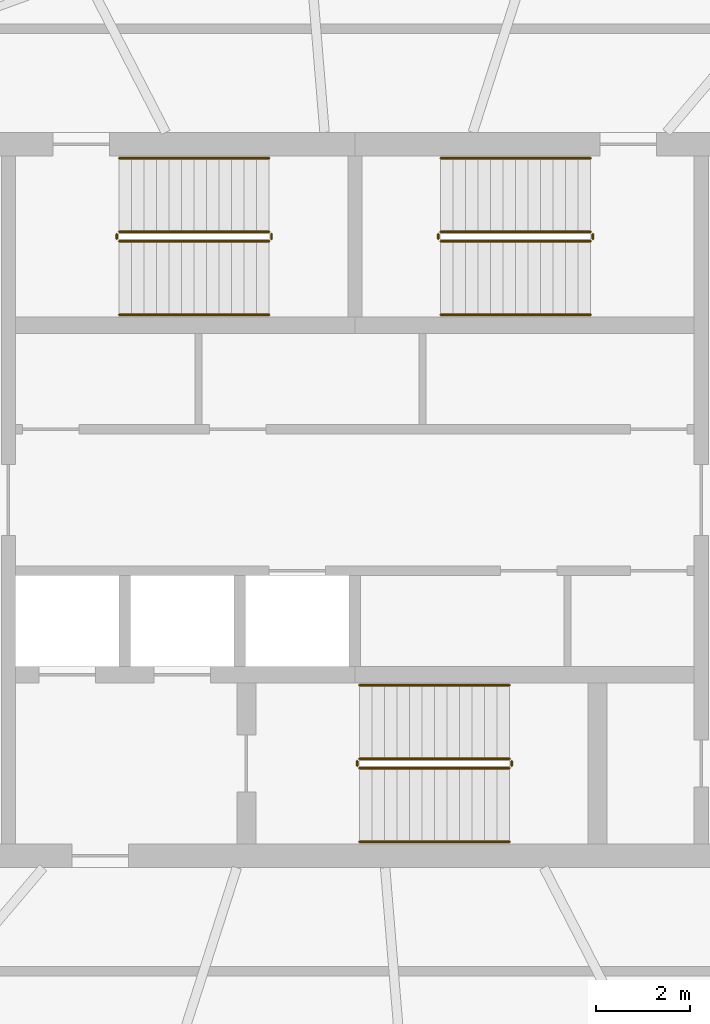
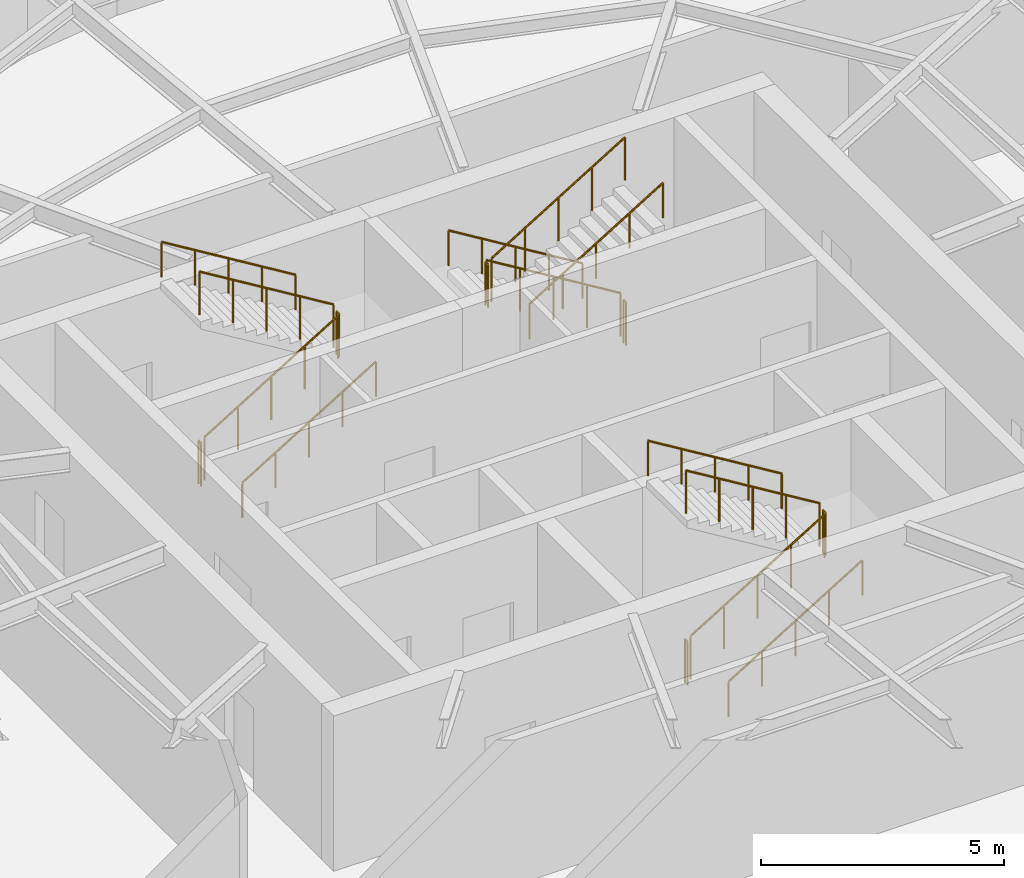
# One storey, part 6 of 6: 18 railings.
"""IFC4 building model written with IfcOpenShell, lengths in metres."""

import ifcopenshell
import ifcopenshell.guid

model = None  # the IFC model being written
_history = None  # IfcOwnerHistory: only IFC2X3 demands one
_inside = {}  # id of a spatial element -> (the spatial element, [elements in it])
_under = {}  # id of a project, library or spatial element -> (it, [spatial elements below it])
_declared = {}  # id of a project -> (the project, [libraries it declares])
_typed = {}  # id of a type object -> (the type object, [elements of that type])
_made_of = {}  # id of a material, layer set ... -> (it, [elements and type objects made of it])


def new_model(schema):
    """Start an empty IFC model of exactly this schema.

    Asked for "IFC4X3", IfcOpenShell would pick the latest addendum, in which some entities
    have other attributes; the version numbers below select the first issue.
    IFC2X3 requires an IfcOwnerHistory on every rooted entity: one is made here for all.
    """
    global model, _history
    if schema == "IFC4X3":
        model = ifcopenshell.file(schema_version=(4, 3, 0, 0))
    else:
        model = ifcopenshell.file(schema=schema)
    _inside.clear()
    _under.clear()
    _declared.clear()
    _typed.clear()
    _made_of.clear()
    _history = None
    if model.schema == "IFC2X3":
        org = make("IfcOrganization", Name="unknown")
        user = make(
            "IfcPersonAndOrganization",
            ThePerson=make("IfcPerson", FamilyName="unknown"),
            TheOrganization=org,
        )
        app = make(
            "IfcApplication",
            ApplicationDeveloper=org,
            Version="unknown",
            ApplicationFullName="unknown",
            ApplicationIdentifier="unknown",
        )
        _history = make(
            "IfcOwnerHistory",
            OwningUser=user,
            OwningApplication=app,
            ChangeAction="ADDED",
            CreationDate=0,
        )
    return model


def make(cls, **values):
    """One entity of the class cls with the attributes given. An attribute that is None is left unset."""
    return model.create_entity(
        cls, **{name: value for name, value in values.items() if value is not None}
    )


def rooted(cls, **values):
    """An entity with a GlobalId (a new one), such as an element, a storey or a relation."""
    return make(cls, GlobalId=ifcopenshell.guid.new(), OwnerHistory=_history, **values)


def si_unit(unit_type, name, prefix=None):
    """IfcSIUnit, for example si_unit("LENGTHUNIT", "METRE", prefix="MILLI")."""
    return make("IfcSIUnit", UnitType=unit_type, Prefix=prefix, Name=name)


def assignment(units):
    """IfcUnitAssignment: the units of a project."""
    return None if units is None else make("IfcUnitAssignment", Units=units)


def point(xyz):
    """IfcCartesianPoint."""
    return None if xyz is None else make("IfcCartesianPoint", Coordinates=xyz)


def direction(xyz):
    """IfcDirection."""
    return None if xyz is None else make("IfcDirection", DirectionRatios=xyz)


def frame(location, z_axis=None, x_axis=None):
    """IfcAxis2Placement3D, a coordinate frame: its origin and axes. An axis left out is left unset."""
    return make(
        "IfcAxis2Placement3D",
        Location=point(location),
        Axis=direction(z_axis),
        RefDirection=direction(x_axis),
    )


def frame_2d(location, x_axis=None):
    """IfcAxis2Placement2D, a coordinate frame in the plane: its origin and x axis."""
    return make(
        "IfcAxis2Placement2D", Location=point(location), RefDirection=direction(x_axis)
    )


def origin():
    """The frame at (0, 0, 0) with its axes left unset."""
    return frame((0.0, 0.0, 0.0))


def origin_2d():
    """The frame at (0, 0) in the plane with its x axis left unset."""
    return frame_2d((0.0, 0.0))


def place(relative_to, where):
    """IfcLocalPlacement: puts the frame where relative to a parent placement (None: the world)."""
    return make(
        "IfcLocalPlacement", PlacementRelTo=relative_to, RelativePlacement=where
    )


def context(
    kind, dimensions, precision=None, world=None, true_north=None, identifier=None
):
    """IfcGeometricRepresentationContext, for example the 3D "Model" context."""
    return make(
        "IfcGeometricRepresentationContext",
        ContextIdentifier=identifier,
        ContextType=kind,
        CoordinateSpaceDimension=dimensions,
        Precision=precision,
        WorldCoordinateSystem=world,
        TrueNorth=true_north,
    )


def subcontext(parent, identifier, kind, view, scale=None):
    """IfcGeometricRepresentationSubContext, for example "Body" below "Model"."""
    return make(
        "IfcGeometricRepresentationSubContext",
        ContextIdentifier=identifier,
        ContextType=kind,
        ParentContext=parent,
        TargetScale=scale,
        TargetView=view,
    )


def project(units=None, contexts=None):
    """IfcProject with its units and contexts."""
    return rooted(
        "IfcProject",
        Name="project",
        RepresentationContexts=contexts,
        UnitsInContext=assignment(units),
    )


def spatial(cls, under=None, at=None, **own):
    """A site, building, storey or space (cls), placed at a placement, below another one or the project."""
    s = rooted(cls, ObjectPlacement=at, **own)
    if under is not None:
        _under.setdefault(under.id(), (under, []))[1].append(s)
    return s


def profile(cls, at=None, kind="AREA", **sizes):
    """A parametric profile (cls). Its sizes go by their IFC names, for example OverallWidth=200.0."""
    return make(cls, ProfileType=kind, Position=at, **sizes)


def circle(**sizes):
    """IfcCircleProfileDef."""
    return profile("IfcCircleProfileDef", **sizes)


def extrude(swept, where, along, depth):
    """IfcExtrudedAreaSolid: the profile swept, set in the frame where, extruded along a direction by depth."""
    return make(
        "IfcExtrudedAreaSolid",
        SweptArea=swept,
        Position=where,
        ExtrudedDirection=direction(along),
        Depth=depth,
    )


def shape(context_of_items, identifier, shape_type, items):
    """IfcShapeRepresentation: the items that make up one representation, for example the "Body"."""
    return make(
        "IfcShapeRepresentation",
        ContextOfItems=context_of_items,
        RepresentationIdentifier=identifier,
        RepresentationType=shape_type,
        Items=items,
    )


def material(Name=None, Category=None):
    """IfcMaterial."""
    return make("IfcMaterial", Name=Name, Category=Category)


def made_of(thing, what):
    """Note that an element or type object is made of a material, layer set ...; save() writes the relation."""
    if what is not None:
        _made_of.setdefault(what.id(), (what, []))[1].append(thing)
    return thing


def type_object(cls, material=None, **own):
    """A type object (cls), such as IfcWallType, which elements share."""
    return made_of(rooted(cls, **own), material)


def element(
    cls,
    number,
    at=None,
    inside=None,
    cuts=None,
    type_object=None,
    material=None,
    context=None,
    identifier="Body",
    shape_type=None,
    held_by="IfcProductDefinitionShape",
    body=None,
    shapes=None,
    **own,
):
    """One element of the class cls, such as IfcWall. Its Tag is "e" and its number.

    at: its placement. inside: the storey or other place that contains it. cuts: it is an
    opening in that element (IfcRelVoidsElement). A single representation is given by context,
    identifier, shape_type and body (its items); several are given by shapes. held_by: the class
    of the entity that holds the representations. save() writes the other relations.
    """
    e = rooted(cls, Tag="e%d" % number, ObjectPlacement=at, **own)
    if body is not None:
        shapes = [shape(context, identifier, shape_type, body)]
    if shapes is not None:
        e.Representation = make(held_by, Representations=shapes)
    if inside is not None:
        _inside.setdefault(inside.id(), (inside, []))[1].append(e)
    if cuts is not None:
        rooted(
            "IfcRelVoidsElement", RelatingBuildingElement=cuts, RelatedOpeningElement=e
        )
    if type_object is not None:
        _typed.setdefault(type_object.id(), (type_object, []))[1].append(e)
    return made_of(e, material)


def aggregate(whole, parts):
    """IfcRelAggregates: a whole, such as a stair, and the parts it consists of."""
    return rooted("IfcRelAggregates", RelatingObject=whole, RelatedObjects=parts)


def save(model, path):
    """Write the relations noted so far, then the file.

    IfcRelAggregates (storeys below a building ...), IfcRelContainedInSpatialStructure (elements
    in a storey), IfcRelDefinesByType, IfcRelAssociatesMaterial and IfcRelDeclares: one each for
    every whole, place, type object, material and project.
    """
    for whole, parts in _under.values():
        aggregate(whole, parts)
    for where, things in _inside.values():
        rooted(
            "IfcRelContainedInSpatialStructure",
            RelatedElements=things,
            RelatingStructure=where,
        )
    for kind, things in _typed.values():
        rooted("IfcRelDefinesByType", RelatedObjects=things, RelatingType=kind)
    for what, things in _made_of.values():
        rooted("IfcRelAssociatesMaterial", RelatedObjects=things, RelatingMaterial=what)
    for by, libraries in _declared.values():
        rooted("IfcRelDeclares", RelatingContext=by, RelatedDefinitions=libraries)
    model.write(path)


model = new_model("IFC4")

# Units and contexts
model_context = context("Model", 3, precision=1e-05, world=origin(), true_north=direction((0.0, 1.0)))
body_context = subcontext(model_context, "Body", "Model", "MODEL_VIEW")
ifc_project = project(units=[si_unit("LENGTHUNIT", "METRE"), si_unit("AREAUNIT", "SQUARE_METRE"), si_unit("VOLUMEUNIT", "CUBIC_METRE"), si_unit("PLANEANGLEUNIT", "RADIAN"), si_unit("MASSUNIT", "GRAM", prefix="KILO")], contexts=[model_context])

# Site, building, storey
site_placement = place(None, origin())
site = spatial("IfcSite", under=ifc_project, at=site_placement, CompositionType="ELEMENT")
building_placement = place(site_placement, origin())
building = spatial("IfcBuilding", under=site, at=building_placement, Name="Vermilion Reach Broadcast Tower", CompositionType="ELEMENT")
storey_placement = place(building_placement, frame((0.0, 0.0, 308.699951171875)))
storey = spatial("IfcBuildingStorey", under=building, at=storey_placement, Name="L77 CROWN", CompositionType="ELEMENT", Elevation=308.699951171875)

# Railings
ifc_material_1 = material(Name="Stainless steel", Category="steel")
railing_type_1 = type_object("IfcRailingType", Name="Stair guard 1100", PredefinedType="GUARDRAIL", material=ifc_material_1)
railing_1_placement = place(storey_placement, frame((-11.0, 5.489990234375, 0.16162109375)))
element("IfcRailing", 1, at=railing_1_placement, inside=storey, type_object=railing_type_1, Name="L77 CROWN ST1 stair guard 1", PredefinedType="GUARDRAIL", context=body_context, shape_type="SweptSolid", body=[
    extrude(circle(Radius=0.02392578125, at=origin_2d()), frame((0.0, 0.0, 1.076171875), z_axis=(0.853856579767, 0.0, 0.520508348818), x_axis=(0.0, 1.0, 0.0)), (0.0, 0.0, 1.0), 3.72412109375),
    extrude(circle(Radius=0.02099609375, at=origin_2d()), origin(), (0.0, 0.0, 1.0), 1.052001953125),
    extrude(circle(Radius=0.02099609375, at=origin_2d()), frame((0.794921875, 0.0, 0.484619140625)), (0.0, 0.0, 1.0), 1.052001953125),
    extrude(circle(Radius=0.02099609375, at=origin_2d()), frame((1.58984375, 0.0, 0.96923828125)), (0.0, 0.0, 1.0), 1.052001953125),
    extrude(circle(Radius=0.02099609375, at=origin_2d()), frame((2.385009765625, 0.0, 1.453857421875)), (0.0, 0.0, 1.0), 1.052001953125),
    extrude(circle(Radius=0.02099609375, at=origin_2d()), frame((3.179931640625, 0.0, 1.9384765625)), (0.0, 0.0, 1.0), 1.052001953125),
])
railing_2_placement = place(storey_placement, frame((-7.77001953125, 5.5400390625, 2.10009765625)))
element("IfcRailing", 2, at=railing_2_placement, inside=storey, type_object=railing_type_1, Name="L77 CROWN ST1 stair guard 2", PredefinedType="GUARDRAIL", context=body_context, shape_type="SweptSolid", body=[
    extrude(circle(Radius=0.02392578125, at=origin_2d()), frame((0.0, 0.0, 1.076171875), z_axis=(0.0, 1.0, 0.0), x_axis=(-1.0, 0.0, 0.0)), (0.0, 0.0, 1.0), 0.099853515625),
    extrude(circle(Radius=0.02099609375, at=origin_2d()), origin(), (0.0, 0.0, 1.0), 1.052001953125),
    extrude(circle(Radius=0.02099609375, at=origin_2d()), frame((0.0, 0.099853515625, 0.0)), (0.0, 0.0, 1.0), 1.052001953125),
])
railing_3_placement = place(storey_placement, frame((-7.820068359375, 5.68994140625, 2.261474609375)))
element("IfcRailing", 3, at=railing_3_placement, inside=storey, type_object=railing_type_1, Name="L77 CROWN ST1 stair guard 3", PredefinedType="GUARDRAIL", context=body_context, shape_type="SweptSolid", body=[
    extrude(circle(Radius=0.02392578125, at=origin_2d()), frame((0.0, 0.0, 1.076171875), z_axis=(-0.853856579767, 0.0, 0.520508348818), x_axis=(0.0, -1.0, 0.0)), (0.0, 0.0, 1.0), 3.72412109375),
    extrude(circle(Radius=0.02099609375, at=origin_2d()), origin(), (0.0, 0.0, 1.0), 1.052001953125),
    extrude(circle(Radius=0.02099609375, at=origin_2d()), frame((-0.794921875, 0.0, 0.484619140625)), (0.0, 0.0, 1.0), 1.052001953125),
    extrude(circle(Radius=0.02099609375, at=origin_2d()), frame((-1.58984375, 0.0, 0.96923828125)), (0.0, 0.0, 1.0), 1.052001953125),
    extrude(circle(Radius=0.02099609375, at=origin_2d()), frame((-2.385009765625, 0.0, 1.453857421875)), (0.0, 0.0, 1.0), 1.052001953125),
    extrude(circle(Radius=0.02099609375, at=origin_2d()), frame((-3.179931640625, 0.0, 1.9384765625)), (0.0, 0.0, 1.0), 1.052001953125),
])
railing_4_placement = place(storey_placement, frame((-11.050048828125, 5.5400390625, 0.0)))
element("IfcRailing", 4, at=railing_4_placement, inside=storey, type_object=railing_type_1, Name="L77 CROWN ST1 stair guard 4", PredefinedType="GUARDRAIL", context=body_context, shape_type="SweptSolid", body=[
    extrude(circle(Radius=0.02392578125, at=origin_2d()), frame((0.0, 0.0, 1.076171875), z_axis=(0.0, 1.0, 0.0), x_axis=(-1.0, 0.0, 0.0)), (0.0, 0.0, 1.0), 0.099853515625),
    extrude(circle(Radius=0.02099609375, at=origin_2d()), origin(), (0.0, 0.0, 1.0), 1.052001953125),
    extrude(circle(Radius=0.02099609375, at=origin_2d()), frame((0.0, 0.099853515625, 0.0)), (0.0, 0.0, 1.0), 1.052001953125),
])
railing_5_placement = place(storey_placement, frame((-1.0, 5.68994140625, 0.16162109375)))
element("IfcRailing", 5, at=railing_5_placement, inside=storey, type_object=railing_type_1, Name="L77 CROWN ST2 stair guard 1", PredefinedType="GUARDRAIL", context=body_context, shape_type="SweptSolid", body=[
    extrude(circle(Radius=0.02392578125, at=origin_2d()), frame((0.0, 0.0, 1.076171875), z_axis=(-0.853856579767, 0.0, 0.520508348818), x_axis=(0.0, -1.0, 0.0)), (0.0, 0.0, 1.0), 3.72412109375),
    extrude(circle(Radius=0.02099609375, at=origin_2d()), origin(), (0.0, 0.0, 1.0), 1.052001953125),
    extrude(circle(Radius=0.02099609375, at=origin_2d()), frame((-0.794921875, 0.0, 0.484619140625)), (0.0, 0.0, 1.0), 1.052001953125),
    extrude(circle(Radius=0.02099609375, at=origin_2d()), frame((-1.58984375, 0.0, 0.96923828125)), (0.0, 0.0, 1.0), 1.052001953125),
    extrude(circle(Radius=0.02099609375, at=origin_2d()), frame((-2.385009765625, 0.0, 1.453857421875)), (0.0, 0.0, 1.0), 1.052001953125),
    extrude(circle(Radius=0.02099609375, at=origin_2d()), frame((-3.179931640625, 0.0, 1.9384765625)), (0.0, 0.0, 1.0), 1.052001953125),
])
railing_6_placement = place(storey_placement, frame((-4.22998046875, 5.639892578125, 2.10009765625)))
element("IfcRailing", 6, at=railing_6_placement, inside=storey, type_object=railing_type_1, Name="L77 CROWN ST2 stair guard 2", PredefinedType="GUARDRAIL", context=body_context, shape_type="SweptSolid", body=[
    extrude(circle(Radius=0.02392578125, at=origin_2d()), frame((0.0, 0.0, 1.076171875), z_axis=(0.0, -1.0, 0.0), x_axis=(1.0, 0.0, 0.0)), (0.0, 0.0, 1.0), 0.099853515625),
    extrude(circle(Radius=0.02099609375, at=origin_2d()), origin(), (0.0, 0.0, 1.0), 1.052001953125),
    extrude(circle(Radius=0.02099609375, at=origin_2d()), frame((0.0, -0.099853515625, 0.0)), (0.0, 0.0, 1.0), 1.052001953125),
])
railing_7_placement = place(storey_placement, frame((-4.179931640625, 5.489990234375, 2.261474609375)))
element("IfcRailing", 7, at=railing_7_placement, inside=storey, type_object=railing_type_1, Name="L77 CROWN ST2 stair guard 3", PredefinedType="GUARDRAIL", context=body_context, shape_type="SweptSolid", body=[
    extrude(circle(Radius=0.02392578125, at=origin_2d()), frame((0.0, 0.0, 1.076171875), z_axis=(0.853856579767, 0.0, 0.520508348818), x_axis=(0.0, 1.0, 0.0)), (0.0, 0.0, 1.0), 3.72412109375),
    extrude(circle(Radius=0.02099609375, at=origin_2d()), origin(), (0.0, 0.0, 1.0), 1.052001953125),
    extrude(circle(Radius=0.02099609375, at=origin_2d()), frame((0.794921875, 0.0, 0.484619140625)), (0.0, 0.0, 1.0), 1.052001953125),
    extrude(circle(Radius=0.02099609375, at=origin_2d()), frame((1.58984375, 0.0, 0.96923828125)), (0.0, 0.0, 1.0), 1.052001953125),
    extrude(circle(Radius=0.02099609375, at=origin_2d()), frame((2.385009765625, 0.0, 1.453857421875)), (0.0, 0.0, 1.0), 1.052001953125),
    extrude(circle(Radius=0.02099609375, at=origin_2d()), frame((3.179931640625, 0.0, 1.9384765625)), (0.0, 0.0, 1.0), 1.052001953125),
])
railing_8_placement = place(storey_placement, frame((-0.949951171875, 5.639892578125, 0.0)))
element("IfcRailing", 8, at=railing_8_placement, inside=storey, type_object=railing_type_1, Name="L77 CROWN ST2 stair guard 4", PredefinedType="GUARDRAIL", context=body_context, shape_type="SweptSolid", body=[
    extrude(circle(Radius=0.02392578125, at=origin_2d()), frame((0.0, 0.0, 1.076171875), z_axis=(0.0, -1.0, 0.0), x_axis=(1.0, 0.0, 0.0)), (0.0, 0.0, 1.0), 0.099853515625),
    extrude(circle(Radius=0.02099609375, at=origin_2d()), origin(), (0.0, 0.0, 1.0), 1.052001953125),
    extrude(circle(Radius=0.02099609375, at=origin_2d()), frame((0.0, -0.099853515625, 0.0)), (0.0, 0.0, 1.0), 1.052001953125),
])
railing_9_placement = place(storey_placement, frame((-5.89990234375, -5.68994140625, 0.16162109375)))
element("IfcRailing", 9, at=railing_9_placement, inside=storey, type_object=railing_type_1, Name="L77 CROWN ST3 stair guard 1", PredefinedType="GUARDRAIL", context=body_context, shape_type="SweptSolid", body=[
    extrude(circle(Radius=0.02392578125, at=origin_2d()), frame((0.0, 0.0, 1.076171875), z_axis=(0.853856579767, 0.0, 0.520508348818), x_axis=(0.0, 1.0, 0.0)), (0.0, 0.0, 1.0), 3.72412109375),
    extrude(circle(Radius=0.02099609375, at=origin_2d()), origin(), (0.0, 0.0, 1.0), 1.052001953125),
    extrude(circle(Radius=0.02099609375, at=origin_2d()), frame((0.794921875, 0.0, 0.484619140625)), (0.0, 0.0, 1.0), 1.052001953125),
    extrude(circle(Radius=0.02099609375, at=origin_2d()), frame((1.58984375, 0.0, 0.96923828125)), (0.0, 0.0, 1.0), 1.052001953125),
    extrude(circle(Radius=0.02099609375, at=origin_2d()), frame((2.385009765625, 0.0, 1.453857421875)), (0.0, 0.0, 1.0), 1.052001953125),
    extrude(circle(Radius=0.02099609375, at=origin_2d()), frame((3.179931640625, 0.0, 1.9384765625)), (0.0, 0.0, 1.0), 1.052001953125),
])
railing_10_placement = place(storey_placement, frame((-2.669921875, -5.639892578125, 2.10009765625)))
element("IfcRailing", 10, at=railing_10_placement, inside=storey, type_object=railing_type_1, Name="L77 CROWN ST3 stair guard 2", PredefinedType="GUARDRAIL", context=body_context, shape_type="SweptSolid", body=[
    extrude(circle(Radius=0.02392578125, at=origin_2d()), frame((0.0, 0.0, 1.076171875), z_axis=(0.0, 1.0, 0.0), x_axis=(-1.0, 0.0, 0.0)), (0.0, 0.0, 1.0), 0.099853515625),
    extrude(circle(Radius=0.02099609375, at=origin_2d()), origin(), (0.0, 0.0, 1.0), 1.052001953125),
    extrude(circle(Radius=0.02099609375, at=origin_2d()), frame((0.0, 0.099853515625, 0.0)), (0.0, 0.0, 1.0), 1.052001953125),
])
railing_11_placement = place(storey_placement, frame((-2.719970703125, -5.489990234375, 2.261474609375)))
element("IfcRailing", 11, at=railing_11_placement, inside=storey, type_object=railing_type_1, Name="L77 CROWN ST3 stair guard 3", PredefinedType="GUARDRAIL", context=body_context, shape_type="SweptSolid", body=[
    extrude(circle(Radius=0.02392578125, at=origin_2d()), frame((0.0, 0.0, 1.076171875), z_axis=(-0.853856579767, 0.0, 0.520508348818), x_axis=(0.0, -1.0, 0.0)), (0.0, 0.0, 1.0), 3.72412109375),
    extrude(circle(Radius=0.02099609375, at=origin_2d()), origin(), (0.0, 0.0, 1.0), 1.052001953125),
    extrude(circle(Radius=0.02099609375, at=origin_2d()), frame((-0.794921875, 0.0, 0.484619140625)), (0.0, 0.0, 1.0), 1.052001953125),
    extrude(circle(Radius=0.02099609375, at=origin_2d()), frame((-1.58984375, 0.0, 0.96923828125)), (0.0, 0.0, 1.0), 1.052001953125),
    extrude(circle(Radius=0.02099609375, at=origin_2d()), frame((-2.385009765625, 0.0, 1.453857421875)), (0.0, 0.0, 1.0), 1.052001953125),
    extrude(circle(Radius=0.02099609375, at=origin_2d()), frame((-3.179931640625, 0.0, 1.9384765625)), (0.0, 0.0, 1.0), 1.052001953125),
])
railing_12_placement = place(storey_placement, frame((-5.949951171875, -5.639892578125, 0.0)))
element("IfcRailing", 12, at=railing_12_placement, inside=storey, type_object=railing_type_1, Name="L77 CROWN ST3 stair guard 4", PredefinedType="GUARDRAIL", context=body_context, shape_type="SweptSolid", body=[
    extrude(circle(Radius=0.02392578125, at=origin_2d()), frame((0.0, 0.0, 1.076171875), z_axis=(0.0, 1.0, 0.0), x_axis=(-1.0, 0.0, 0.0)), (0.0, 0.0, 1.0), 0.099853515625),
    extrude(circle(Radius=0.02099609375, at=origin_2d()), origin(), (0.0, 0.0, 1.0), 1.052001953125),
    extrude(circle(Radius=0.02099609375, at=origin_2d()), frame((0.0, 0.099853515625, 0.0)), (0.0, 0.0, 1.0), 1.052001953125),
])
ifc_material_2 = material(Name="Stainless steel", Category="steel")
railing_type_2 = type_object("IfcRailingType", Name="Stair handrail", PredefinedType="HANDRAIL", material=ifc_material_2)
railing_13_placement = place(storey_placement, frame((-11.0, 3.929931640625, 0.16162109375)))
element("IfcRailing", 13, at=railing_13_placement, inside=storey, type_object=railing_type_2, Name="L77 CROWN ST1 stair handrail 1", PredefinedType="HANDRAIL", context=body_context, shape_type="SweptSolid", body=[
    extrude(circle(Radius=0.02392578125, at=origin_2d()), frame((0.0, 0.0, 0.8759765625), z_axis=(0.853856579767, 0.0, 0.520508348818), x_axis=(0.0, 1.0, 0.0)), (0.0, 0.0, 1.0), 3.72412109375),
    extrude(circle(Radius=0.02099609375, at=origin_2d()), origin(), (0.0, 0.0, 1.0), 0.851806640625),
    extrude(circle(Radius=0.02099609375, at=origin_2d()), frame((0.794921875, 0.0, 0.484619140625)), (0.0, 0.0, 1.0), 0.851806640625),
    extrude(circle(Radius=0.02099609375, at=origin_2d()), frame((1.58984375, 0.0, 0.96923828125)), (0.0, 0.0, 1.0), 0.851806640625),
    extrude(circle(Radius=0.02099609375, at=origin_2d()), frame((2.385009765625, 0.0, 1.453857421875)), (0.0, 0.0, 1.0), 0.851806640625),
    extrude(circle(Radius=0.02099609375, at=origin_2d()), frame((3.179931640625, 0.0, 1.9384765625)), (0.0, 0.0, 1.0), 0.851806640625),
])
for number, where, name in (
    (14, (-7.820068359375, 7.25, 2.261474609375), "L77 CROWN ST1 stair handrail 2"),
    (15, (-1.0, 7.25, 0.16162109375), "L77 CROWN ST2 stair handrail 1"),
):
    element("IfcRailing", number, at=place(storey_placement, frame(where)), inside=storey, type_object=railing_type_2, Name=name, PredefinedType="HANDRAIL", context=body_context, shape_type="SweptSolid", body=[
        extrude(circle(Radius=0.02392578125, at=origin_2d()), frame((0.0, 0.0, 0.8759765625), z_axis=(-0.853856579767, 0.0, 0.520508348818), x_axis=(0.0, -1.0, 0.0)), (0.0, 0.0, 1.0), 3.72412109375),
        extrude(circle(Radius=0.02099609375, at=origin_2d()), origin(), (0.0, 0.0, 1.0), 0.851806640625),
        extrude(circle(Radius=0.02099609375, at=origin_2d()), frame((-0.794921875, 0.0, 0.484619140625)), (0.0, 0.0, 1.0), 0.851806640625),
        extrude(circle(Radius=0.02099609375, at=origin_2d()), frame((-1.58984375, 0.0, 0.96923828125)), (0.0, 0.0, 1.0), 0.851806640625),
        extrude(circle(Radius=0.02099609375, at=origin_2d()), frame((-2.385009765625, 0.0, 1.453857421875)), (0.0, 0.0, 1.0), 0.851806640625),
        extrude(circle(Radius=0.02099609375, at=origin_2d()), frame((-3.179931640625, 0.0, 1.9384765625)), (0.0, 0.0, 1.0), 0.851806640625),
    ])
for number, where, name in (
    (16, (-4.179931640625, 3.929931640625, 2.261474609375), "L77 CROWN ST2 stair handrail 2"),
    (17, (-5.89990234375, -7.25, 0.16162109375), "L77 CROWN ST3 stair handrail 1"),
):
    element("IfcRailing", number, at=place(storey_placement, frame(where)), inside=storey, type_object=railing_type_2, Name=name, PredefinedType="HANDRAIL", context=body_context, shape_type="SweptSolid", body=[
        extrude(circle(Radius=0.02392578125, at=origin_2d()), frame((0.0, 0.0, 0.8759765625), z_axis=(0.853856579767, 0.0, 0.520508348818), x_axis=(0.0, 1.0, 0.0)), (0.0, 0.0, 1.0), 3.72412109375),
        extrude(circle(Radius=0.02099609375, at=origin_2d()), origin(), (0.0, 0.0, 1.0), 0.851806640625),
        extrude(circle(Radius=0.02099609375, at=origin_2d()), frame((0.794921875, 0.0, 0.484619140625)), (0.0, 0.0, 1.0), 0.851806640625),
        extrude(circle(Radius=0.02099609375, at=origin_2d()), frame((1.58984375, 0.0, 0.96923828125)), (0.0, 0.0, 1.0), 0.851806640625),
        extrude(circle(Radius=0.02099609375, at=origin_2d()), frame((2.385009765625, 0.0, 1.453857421875)), (0.0, 0.0, 1.0), 0.851806640625),
        extrude(circle(Radius=0.02099609375, at=origin_2d()), frame((3.179931640625, 0.0, 1.9384765625)), (0.0, 0.0, 1.0), 0.851806640625),
    ])
railing_14_placement = place(storey_placement, frame((-2.719970703125, -3.929931640625, 2.261474609375)))
element("IfcRailing", 18, at=railing_14_placement, inside=storey, type_object=railing_type_2, Name="L77 CROWN ST3 stair handrail 2", PredefinedType="HANDRAIL", context=body_context, shape_type="SweptSolid", body=[
    extrude(circle(Radius=0.02392578125, at=origin_2d()), frame((0.0, 0.0, 0.8759765625), z_axis=(-0.853856579767, 0.0, 0.520508348818), x_axis=(0.0, -1.0, 0.0)), (0.0, 0.0, 1.0), 3.72412109375),
    extrude(circle(Radius=0.02099609375, at=origin_2d()), origin(), (0.0, 0.0, 1.0), 0.851806640625),
    extrude(circle(Radius=0.02099609375, at=origin_2d()), frame((-0.794921875, 0.0, 0.484619140625)), (0.0, 0.0, 1.0), 0.851806640625),
    extrude(circle(Radius=0.02099609375, at=origin_2d()), frame((-1.58984375, 0.0, 0.96923828125)), (0.0, 0.0, 1.0), 0.851806640625),
    extrude(circle(Radius=0.02099609375, at=origin_2d()), frame((-2.385009765625, 0.0, 1.453857421875)), (0.0, 0.0, 1.0), 0.851806640625),
    extrude(circle(Radius=0.02099609375, at=origin_2d()), frame((-3.179931640625, 0.0, 1.9384765625)), (0.0, 0.0, 1.0), 0.851806640625),
])

save(model, "model.ifc")
